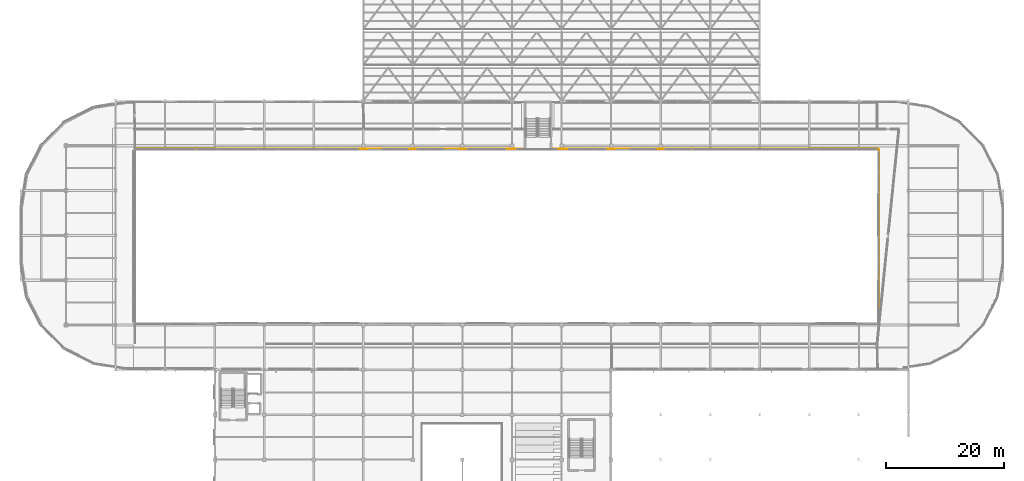
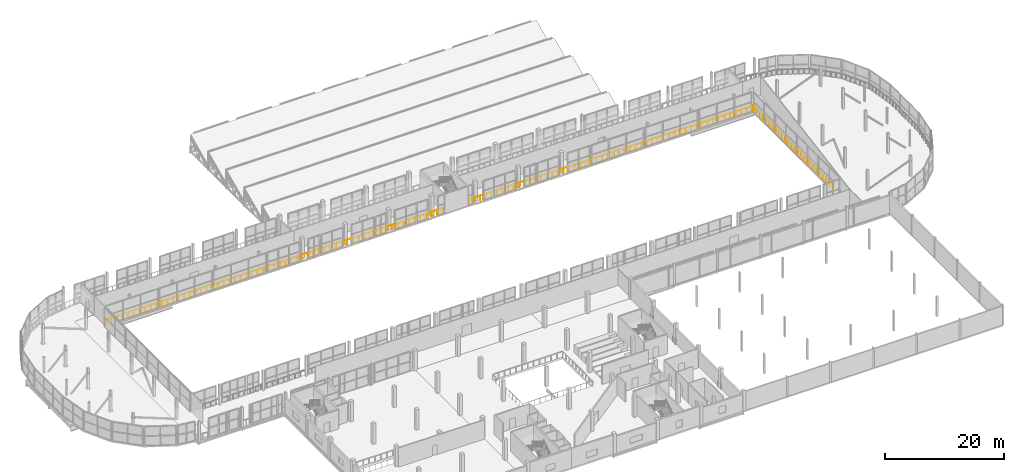
# One storey, part 213 of 217: 2 railings.
"""IFC4 building model written with IfcOpenShell, lengths in metres."""

from ifc_helpers import new_model, si_unit, direction, frame, origin, origin_2d, place, context, subcontext, project, spatial, circle, extrude, material, type_object, element, save


model = new_model("IFC4")

# Units and contexts
model_context = context("Model", 3, precision=1e-05, world=origin(), true_north=direction((0.0, 1.0)))
body_context = subcontext(model_context, "Body", "Model", "MODEL_VIEW")
ifc_project = project(units=[si_unit("LENGTHUNIT", "METRE"), si_unit("AREAUNIT", "SQUARE_METRE"), si_unit("VOLUMEUNIT", "CUBIC_METRE"), si_unit("PLANEANGLEUNIT", "RADIAN"), si_unit("MASSUNIT", "GRAM", prefix="KILO")], contexts=[model_context])

# Site, building, storey
site_placement = place(None, origin())
site = spatial("IfcSite", under=ifc_project, at=site_placement, CompositionType="ELEMENT")
building_placement = place(site_placement, origin())
building = spatial("IfcBuilding", under=site, at=building_placement, Name="Zuvorla Pavilion Media Centre", CompositionType="ELEMENT")
storey_placement = place(building_placement, frame((0.0, 0.0, 9.60009765625)))
storey = spatial("IfcBuildingStorey", under=building, at=storey_placement, Name="L02", CompositionType="ELEMENT", Elevation=9.60009765625)

# Railings
ifc_material = material(Name="Powder-coated steel balustrade guard", Category="steel")
railing_type = type_object("IfcRailingType", Name="RL-INT-GRD", PredefinedType="BALUSTRADE", material=ifc_material)
railing_1_placement = place(storey_placement, frame((154.219970703125, 54.63525390625, 0.0)))
element("IfcRailing", 1, at=railing_1_placement, inside=storey, type_object=railing_type, Name="L02 slab edge guard 84", PredefinedType="BALUSTRADE", context=body_context, shape_type="SweptSolid", body=[
    extrude(circle(Radius=0.02392578125, at=origin_2d()), frame((0.0, 0.02880859375, 1.09619140625), z_axis=(0.0, 1.0, 0.0), x_axis=(-1.0, 0.0, 0.0)), (0.0, 0.0, 1.0), 26.507080078125),
    extrude(circle(Radius=0.02392578125, at=origin_2d()), frame((-0.000244140625, 26.56787109375, 1.09619140625), z_axis=(-0.044898496809, 0.99899155401, 0.0), x_axis=(-0.99899155401, -0.044898496809, 0.0)), (0.0, 0.0, 1.0), 0.02001953125),
    extrude(circle(Radius=0.02392578125, at=origin_2d()), frame((-0.00146484375, 26.589599609375, 1.09619140625), z_axis=(-0.147784535061, 0.989019580795, 0.0), x_axis=(-0.989019580795, -0.147784535061, 0.0)), (0.0, 0.0, 1.0), 0.02001953125),
    extrude(circle(Radius=0.02392578125, at=origin_2d()), frame((-0.0048828125, 26.61083984375, 1.09619140625), z_axis=(-0.247833249983, 0.968802704478, 0.0), x_axis=(-0.968802704478, -0.247833249983, 0.0)), (0.0, 0.0, 1.0), 0.02001953125),
    extrude(circle(Radius=0.02392578125, at=origin_2d()), frame((-0.010498046875, 26.631591796875, 1.09619140625), z_axis=(-0.329843743632, 0.94403554212, 0.0), x_axis=(-0.94403554212, -0.329843743632, 0.0)), (0.0, 0.0, 1.0), 0.02001953125),
    extrude(circle(Radius=0.02392578125, at=origin_2d()), frame((-0.01806640625, 26.65185546875, 1.09619140625), z_axis=(-0.429056814568, 0.903277504354, 0.0), x_axis=(-0.903277504354, -0.429056814568, 0.0)), (0.0, 0.0, 1.0), 0.02001953125),
    extrude(circle(Radius=0.02392578125, at=origin_2d()), frame((-0.027587890625, 26.671142578125, 1.09619140625), z_axis=(-0.517802679406, 0.855500079018, 0.0), x_axis=(-0.855500079018, -0.517802679406, 0.0)), (0.0, 0.0, 1.0), 0.02001953125),
    extrude(circle(Radius=0.02392578125, at=origin_2d()), frame((-0.0390625, 26.689697265625, 1.09619140625), z_axis=(-0.590870941899, 0.806766093747, 0.0), x_axis=(-0.806766093747, -0.590870941899, 0.0)), (0.0, 0.0, 1.0), 0.02001953125),
    extrude(circle(Radius=0.02392578125, at=origin_2d()), frame((-0.052001953125, 26.706787109375, 1.09619140625), z_axis=(-0.672672793996, 0.739940073396, 0.0), x_axis=(-0.739940073396, -0.672672793996, 0.0)), (0.0, 0.0, 1.0), 0.02001953125),
    extrude(circle(Radius=0.02392578125, at=origin_2d()), frame((-0.06689453125, 26.72265625, 1.09619140625), z_axis=(-0.740455314082, 0.672105592782, 0.0), x_axis=(-0.672105592782, -0.740455314082, 0.0)), (0.0, 0.0, 1.0), 0.02001953125),
    extrude(circle(Radius=0.02392578125, at=origin_2d()), frame((-0.0830078125, 26.73681640625, 1.09619140625), z_axis=(-0.806766093747, 0.590870941899, 0.0), x_axis=(-0.590870941899, -0.806766093747, 0.0)), (0.0, 0.0, 1.0), 0.02001953125),
    extrude(circle(Radius=0.02392578125, at=origin_2d()), frame((-0.100341796875, 26.749267578125, 1.09619140625), z_axis=(-0.855500079018, 0.517802679406, 0.0), x_axis=(-0.517802679406, -0.855500079018, 0.0)), (0.0, 0.0, 1.0), 0.02001953125),
    extrude(circle(Radius=0.02392578125, at=origin_2d()), frame((-0.119140625, 26.76025390625, 1.09619140625), z_axis=(-0.903277504354, 0.429056814568, 0.0), x_axis=(-0.429056814568, -0.903277504354, 0.0)), (0.0, 0.0, 1.0), 0.02001953125),
    extrude(circle(Radius=0.02392578125, at=origin_2d()), frame((-0.138671875, 26.76904296875, 1.09619140625), z_axis=(-0.94403554212, 0.329843743632, 0.0), x_axis=(-0.329843743632, -0.94403554212, 0.0)), (0.0, 0.0, 1.0), 0.02001953125),
    extrude(circle(Radius=0.02392578125, at=origin_2d()), frame((-0.1591796875, 26.77587890625, 1.09619140625), z_axis=(-0.968802704478, 0.247833249983, 0.0), x_axis=(-0.247833249983, -0.968802704478, 0.0)), (0.0, 0.0, 1.0), 0.02001953125),
    extrude(circle(Radius=0.02392578125, at=origin_2d()), frame((-0.18017578125, 26.781005859375, 1.09619140625), z_axis=(-0.989263736218, 0.146141233759, 0.0), x_axis=(-0.146141233759, -0.989263736218, 0.0)), (0.0, 0.0, 1.0), 0.02001953125),
    extrude(circle(Radius=0.02392578125, at=origin_2d()), frame((-0.20166015625, 26.783935546875, 1.09619140625), z_axis=(-0.99896854021, 0.045407660919, 0.0), x_axis=(-0.045407660919, -0.99896854021, 0.0)), (0.0, 0.0, 1.0), 0.02001953125),
    extrude(circle(Radius=0.02392578125, at=origin_2d()), frame((-0.248779296875, 26.78466796875, 1.09619140625), z_axis=(-1.0, 0.0, 0.0), x_axis=(0.0, -1.0, 0.0)), (0.0, 0.0, 1.0), 54.982421875),
    extrude(circle(Radius=0.02099609375, at=origin_2d()), origin(), (0.0, 0.0, 1.0), 1.070068359375),
    extrude(circle(Radius=0.02099609375, at=origin_2d()), frame((0.0, 1.0625, 0.0)), (0.0, 0.0, 1.0), 1.070068359375),
    extrude(circle(Radius=0.02099609375, at=origin_2d()), frame((0.0, 2.125244140625, 0.0)), (0.0, 0.0, 1.0), 1.070068359375),
    extrude(circle(Radius=0.02099609375, at=origin_2d()), frame((0.0, 3.187744140625, 0.0)), (0.0, 0.0, 1.0), 1.070068359375),
    extrude(circle(Radius=0.02099609375, at=origin_2d()), frame((0.0, 4.250244140625, 0.0)), (0.0, 0.0, 1.0), 1.070068359375),
    extrude(circle(Radius=0.02099609375, at=origin_2d()), frame((0.0, 5.31298828125, 0.0)), (0.0, 0.0, 1.0), 1.070068359375),
    extrude(circle(Radius=0.02099609375, at=origin_2d()), frame((0.0, 6.37548828125, 0.0)), (0.0, 0.0, 1.0), 1.070068359375),
    extrude(circle(Radius=0.02099609375, at=origin_2d()), frame((0.0, 7.438232421875, 0.0)), (0.0, 0.0, 1.0), 1.070068359375),
    extrude(circle(Radius=0.02099609375, at=origin_2d()), frame((0.0, 8.500732421875, 0.0)), (0.0, 0.0, 1.0), 1.070068359375),
    extrude(circle(Radius=0.02099609375, at=origin_2d()), frame((0.0, 9.563232421875, 0.0)), (0.0, 0.0, 1.0), 1.070068359375),
    extrude(circle(Radius=0.02099609375, at=origin_2d()), frame((0.0, 10.6259765625, 0.0)), (0.0, 0.0, 1.0), 1.070068359375),
    extrude(circle(Radius=0.02099609375, at=origin_2d()), frame((0.0, 11.6884765625, 0.0)), (0.0, 0.0, 1.0), 1.070068359375),
    extrude(circle(Radius=0.02099609375, at=origin_2d()), frame((0.0, 12.7509765625, 0.0)), (0.0, 0.0, 1.0), 1.070068359375),
    extrude(circle(Radius=0.02099609375, at=origin_2d()), frame((0.0, 13.813720703125, 0.0)), (0.0, 0.0, 1.0), 1.070068359375),
    extrude(circle(Radius=0.02099609375, at=origin_2d()), frame((0.0, 14.876220703125, 0.0)), (0.0, 0.0, 1.0), 1.070068359375),
    extrude(circle(Radius=0.02099609375, at=origin_2d()), frame((0.0, 15.938720703125, 0.0)), (0.0, 0.0, 1.0), 1.070068359375),
    extrude(circle(Radius=0.02099609375, at=origin_2d()), frame((0.0, 17.00146484375, 0.0)), (0.0, 0.0, 1.0), 1.070068359375),
    extrude(circle(Radius=0.02099609375, at=origin_2d()), frame((0.0, 18.06396484375, 0.0)), (0.0, 0.0, 1.0), 1.070068359375),
    extrude(circle(Radius=0.02099609375, at=origin_2d()), frame((0.0, 19.12646484375, 0.0)), (0.0, 0.0, 1.0), 1.070068359375),
    extrude(circle(Radius=0.02099609375, at=origin_2d()), frame((0.0, 20.189208984375, 0.0)), (0.0, 0.0, 1.0), 1.070068359375),
    extrude(circle(Radius=0.02099609375, at=origin_2d()), frame((0.0, 21.251708984375, 0.0)), (0.0, 0.0, 1.0), 1.070068359375),
    extrude(circle(Radius=0.02099609375, at=origin_2d()), frame((0.0, 22.314453125, 0.0)), (0.0, 0.0, 1.0), 1.070068359375),
    extrude(circle(Radius=0.02099609375, at=origin_2d()), frame((0.0, 23.376953125, 0.0)), (0.0, 0.0, 1.0), 1.070068359375),
    extrude(circle(Radius=0.02099609375, at=origin_2d()), frame((0.0, 24.439453125, 0.0)), (0.0, 0.0, 1.0), 1.070068359375),
    extrude(circle(Radius=0.02099609375, at=origin_2d()), frame((0.0, 25.502197265625, 0.0)), (0.0, 0.0, 1.0), 1.070068359375),
    extrude(circle(Radius=0.02099609375, at=origin_2d()), frame((0.0, 26.564697265625, 0.0)), (0.0, 0.0, 1.0), 1.070068359375),
    extrude(circle(Radius=0.02099609375, at=origin_2d()), frame((-0.0009765625, 26.58642578125, 0.0)), (0.0, 0.0, 1.0), 1.070068359375),
    extrude(circle(Radius=0.02099609375, at=origin_2d()), frame((-0.004150390625, 26.607666015625, 0.0)), (0.0, 0.0, 1.0), 1.070068359375),
    extrude(circle(Radius=0.02099609375, at=origin_2d()), frame((-0.009521484375, 26.628662109375, 0.0)), (0.0, 0.0, 1.0), 1.070068359375),
    extrude(circle(Radius=0.02099609375, at=origin_2d()), frame((-0.0166015625, 26.64892578125, 0.0)), (0.0, 0.0, 1.0), 1.070068359375),
    extrude(circle(Radius=0.02099609375, at=origin_2d()), frame((-0.02587890625, 26.66845703125, 0.0)), (0.0, 0.0, 1.0), 1.070068359375),
    extrude(circle(Radius=0.02099609375, at=origin_2d()), frame((-0.037109375, 26.68701171875, 0.0)), (0.0, 0.0, 1.0), 1.070068359375),
    extrude(circle(Radius=0.02099609375, at=origin_2d()), frame((-0.0498046875, 26.704345703125, 0.0)), (0.0, 0.0, 1.0), 1.070068359375),
    extrude(circle(Radius=0.02099609375, at=origin_2d()), frame((-0.064453125, 26.720458984375, 0.0)), (0.0, 0.0, 1.0), 1.070068359375),
    extrude(circle(Radius=0.02099609375, at=origin_2d()), frame((-0.080322265625, 26.73486328125, 0.0)), (0.0, 0.0, 1.0), 1.070068359375),
    extrude(circle(Radius=0.02099609375, at=origin_2d()), frame((-0.09765625, 26.74755859375, 0.0)), (0.0, 0.0, 1.0), 1.070068359375),
    extrude(circle(Radius=0.02099609375, at=origin_2d()), frame((-0.1162109375, 26.7587890625, 0.0)), (0.0, 0.0, 1.0), 1.070068359375),
    extrude(circle(Radius=0.02099609375, at=origin_2d()), frame((-0.1357421875, 26.76806640625, 0.0)), (0.0, 0.0, 1.0), 1.070068359375),
    extrude(circle(Radius=0.02099609375, at=origin_2d()), frame((-0.156005859375, 26.775146484375, 0.0)), (0.0, 0.0, 1.0), 1.070068359375),
    extrude(circle(Radius=0.02099609375, at=origin_2d()), frame((-0.177001953125, 26.780517578125, 0.0)), (0.0, 0.0, 1.0), 1.070068359375),
    extrude(circle(Radius=0.02099609375, at=origin_2d()), frame((-0.198486328125, 26.78369140625, 0.0)), (0.0, 0.0, 1.0), 1.070068359375),
    extrude(circle(Radius=0.02099609375, at=origin_2d()), frame((-0.219970703125, 26.78466796875, 0.0)), (0.0, 0.0, 1.0), 1.070068359375),
    extrude(circle(Radius=0.02099609375, at=origin_2d()), frame((-1.299072265625, 26.78466796875, 0.0)), (0.0, 0.0, 1.0), 1.070068359375),
    extrude(circle(Radius=0.02099609375, at=origin_2d()), frame((-2.37841796875, 26.78466796875, 0.0)), (0.0, 0.0, 1.0), 1.070068359375),
    extrude(circle(Radius=0.02099609375, at=origin_2d()), frame((-3.45751953125, 26.78466796875, 0.0)), (0.0, 0.0, 1.0), 1.070068359375),
    extrude(circle(Radius=0.02099609375, at=origin_2d()), frame((-4.536865234375, 26.78466796875, 0.0)), (0.0, 0.0, 1.0), 1.070068359375),
    extrude(circle(Radius=0.02099609375, at=origin_2d()), frame((-5.615966796875, 26.78466796875, 0.0)), (0.0, 0.0, 1.0), 1.070068359375),
    extrude(circle(Radius=0.02099609375, at=origin_2d()), frame((-6.6953125, 26.78466796875, 0.0)), (0.0, 0.0, 1.0), 1.070068359375),
    extrude(circle(Radius=0.02099609375, at=origin_2d()), frame((-7.7744140625, 26.78466796875, 0.0)), (0.0, 0.0, 1.0), 1.070068359375),
    extrude(circle(Radius=0.02099609375, at=origin_2d()), frame((-8.853759765625, 26.78466796875, 0.0)), (0.0, 0.0, 1.0), 1.070068359375),
    extrude(circle(Radius=0.02099609375, at=origin_2d()), frame((-9.932861328125, 26.78466796875, 0.0)), (0.0, 0.0, 1.0), 1.070068359375),
    extrude(circle(Radius=0.02099609375, at=origin_2d()), frame((-11.01220703125, 26.78466796875, 0.0)), (0.0, 0.0, 1.0), 1.070068359375),
    extrude(circle(Radius=0.02099609375, at=origin_2d()), frame((-12.09130859375, 26.78466796875, 0.0)), (0.0, 0.0, 1.0), 1.070068359375),
    extrude(circle(Radius=0.02099609375, at=origin_2d()), frame((-13.170654296875, 26.78466796875, 0.0)), (0.0, 0.0, 1.0), 1.070068359375),
    extrude(circle(Radius=0.02099609375, at=origin_2d()), frame((-14.249755859375, 26.78466796875, 0.0)), (0.0, 0.0, 1.0), 1.070068359375),
    extrude(circle(Radius=0.02099609375, at=origin_2d()), frame((-15.3291015625, 26.78466796875, 0.0)), (0.0, 0.0, 1.0), 1.070068359375),
    extrude(circle(Radius=0.02099609375, at=origin_2d()), frame((-16.408203125, 26.78466796875, 0.0)), (0.0, 0.0, 1.0), 1.070068359375),
    extrude(circle(Radius=0.02099609375, at=origin_2d()), frame((-17.487548828125, 26.78466796875, 0.0)), (0.0, 0.0, 1.0), 1.070068359375),
    extrude(circle(Radius=0.02099609375, at=origin_2d()), frame((-18.566650390625, 26.78466796875, 0.0)), (0.0, 0.0, 1.0), 1.070068359375),
    extrude(circle(Radius=0.02099609375, at=origin_2d()), frame((-19.645751953125, 26.78466796875, 0.0)), (0.0, 0.0, 1.0), 1.070068359375),
    extrude(circle(Radius=0.02099609375, at=origin_2d()), frame((-20.72509765625, 26.78466796875, 0.0)), (0.0, 0.0, 1.0), 1.070068359375),
    extrude(circle(Radius=0.02099609375, at=origin_2d()), frame((-21.80419921875, 26.78466796875, 0.0)), (0.0, 0.0, 1.0), 1.070068359375),
    extrude(circle(Radius=0.02099609375, at=origin_2d()), frame((-22.883544921875, 26.78466796875, 0.0)), (0.0, 0.0, 1.0), 1.070068359375),
    extrude(circle(Radius=0.02099609375, at=origin_2d()), frame((-23.962646484375, 26.78466796875, 0.0)), (0.0, 0.0, 1.0), 1.070068359375),
    extrude(circle(Radius=0.02099609375, at=origin_2d()), frame((-25.0419921875, 26.78466796875, 0.0)), (0.0, 0.0, 1.0), 1.070068359375),
    extrude(circle(Radius=0.02099609375, at=origin_2d()), frame((-26.12109375, 26.78466796875, 0.0)), (0.0, 0.0, 1.0), 1.070068359375),
    extrude(circle(Radius=0.02099609375, at=origin_2d()), frame((-27.200439453125, 26.78466796875, 0.0)), (0.0, 0.0, 1.0), 1.070068359375),
    extrude(circle(Radius=0.02099609375, at=origin_2d()), frame((-28.279541015625, 26.78466796875, 0.0)), (0.0, 0.0, 1.0), 1.070068359375),
    extrude(circle(Radius=0.02099609375, at=origin_2d()), frame((-29.35888671875, 26.78466796875, 0.0)), (0.0, 0.0, 1.0), 1.070068359375),
    extrude(circle(Radius=0.02099609375, at=origin_2d()), frame((-30.43798828125, 26.78466796875, 0.0)), (0.0, 0.0, 1.0), 1.070068359375),
    extrude(circle(Radius=0.02099609375, at=origin_2d()), frame((-31.517333984375, 26.78466796875, 0.0)), (0.0, 0.0, 1.0), 1.070068359375),
    extrude(circle(Radius=0.02099609375, at=origin_2d()), frame((-32.596435546875, 26.78466796875, 0.0)), (0.0, 0.0, 1.0), 1.070068359375),
    extrude(circle(Radius=0.02099609375, at=origin_2d()), frame((-33.67578125, 26.78466796875, 0.0)), (0.0, 0.0, 1.0), 1.070068359375),
    extrude(circle(Radius=0.02099609375, at=origin_2d()), frame((-34.7548828125, 26.78466796875, 0.0)), (0.0, 0.0, 1.0), 1.070068359375),
    extrude(circle(Radius=0.02099609375, at=origin_2d()), frame((-35.834228515625, 26.78466796875, 0.0)), (0.0, 0.0, 1.0), 1.070068359375),
    extrude(circle(Radius=0.02099609375, at=origin_2d()), frame((-36.913330078125, 26.78466796875, 0.0)), (0.0, 0.0, 1.0), 1.070068359375),
    extrude(circle(Radius=0.02099609375, at=origin_2d()), frame((-37.992431640625, 26.78466796875, 0.0)), (0.0, 0.0, 1.0), 1.070068359375),
    extrude(circle(Radius=0.02099609375, at=origin_2d()), frame((-39.07177734375, 26.78466796875, 0.0)), (0.0, 0.0, 1.0), 1.070068359375),
    extrude(circle(Radius=0.02099609375, at=origin_2d()), frame((-40.15087890625, 26.78466796875, 0.0)), (0.0, 0.0, 1.0), 1.070068359375),
    extrude(circle(Radius=0.02099609375, at=origin_2d()), frame((-41.230224609375, 26.78466796875, 0.0)), (0.0, 0.0, 1.0), 1.070068359375),
    extrude(circle(Radius=0.02099609375, at=origin_2d()), frame((-42.309326171875, 26.78466796875, 0.0)), (0.0, 0.0, 1.0), 1.070068359375),
    extrude(circle(Radius=0.02099609375, at=origin_2d()), frame((-43.388671875, 26.78466796875, 0.0)), (0.0, 0.0, 1.0), 1.070068359375),
    extrude(circle(Radius=0.02099609375, at=origin_2d()), frame((-44.4677734375, 26.78466796875, 0.0)), (0.0, 0.0, 1.0), 1.070068359375),
    extrude(circle(Radius=0.02099609375, at=origin_2d()), frame((-45.547119140625, 26.78466796875, 0.0)), (0.0, 0.0, 1.0), 1.070068359375),
    extrude(circle(Radius=0.02099609375, at=origin_2d()), frame((-46.626220703125, 26.78466796875, 0.0)), (0.0, 0.0, 1.0), 1.070068359375),
    extrude(circle(Radius=0.02099609375, at=origin_2d()), frame((-47.70556640625, 26.78466796875, 0.0)), (0.0, 0.0, 1.0), 1.070068359375),
    extrude(circle(Radius=0.02099609375, at=origin_2d()), frame((-48.78466796875, 26.78466796875, 0.0)), (0.0, 0.0, 1.0), 1.070068359375),
    extrude(circle(Radius=0.02099609375, at=origin_2d()), frame((-49.864013671875, 26.78466796875, 0.0)), (0.0, 0.0, 1.0), 1.070068359375),
    extrude(circle(Radius=0.02099609375, at=origin_2d()), frame((-50.943115234375, 26.78466796875, 0.0)), (0.0, 0.0, 1.0), 1.070068359375),
    extrude(circle(Radius=0.02099609375, at=origin_2d()), frame((-52.0224609375, 26.78466796875, 0.0)), (0.0, 0.0, 1.0), 1.070068359375),
    extrude(circle(Radius=0.02099609375, at=origin_2d()), frame((-53.1015625, 26.78466796875, 0.0)), (0.0, 0.0, 1.0), 1.070068359375),
    extrude(circle(Radius=0.02099609375, at=origin_2d()), frame((-54.180908203125, 26.78466796875, 0.0)), (0.0, 0.0, 1.0), 1.070068359375),
    extrude(circle(Radius=0.02099609375, at=origin_2d()), frame((-55.260009765625, 26.78466796875, 0.0)), (0.0, 0.0, 1.0), 1.070068359375),
])
railing_2_placement = place(storey_placement, frame((93.840087890625, 81.419921875, 0.0)))
element("IfcRailing", 2, at=railing_2_placement, inside=storey, type_object=railing_type, Name="L02 slab edge guard 85", PredefinedType="BALUSTRADE", context=body_context, shape_type="SweptSolid", body=[
    extrude(circle(Radius=0.02392578125, at=origin_2d()), frame((-0.02880859375, 0.0, 1.09619140625), z_axis=(-1.0, 0.0, 0.0), x_axis=(0.0, -1.0, 0.0)), (0.0, 0.0, 1.0), 65.511962890625),
    extrude(circle(Radius=0.02099609375, at=origin_2d()), origin(), (0.0, 0.0, 1.0), 1.070068359375),
    extrude(circle(Radius=0.02099609375, at=origin_2d()), frame((-1.0927734375, 0.0, 0.0)), (0.0, 0.0, 1.0), 1.070068359375),
    extrude(circle(Radius=0.02099609375, at=origin_2d()), frame((-2.185546875, 0.0, 0.0)), (0.0, 0.0, 1.0), 1.070068359375),
    extrude(circle(Radius=0.02099609375, at=origin_2d()), frame((-3.278564453125, 0.0, 0.0)), (0.0, 0.0, 1.0), 1.070068359375),
    extrude(circle(Radius=0.02099609375, at=origin_2d()), frame((-4.371337890625, 0.0, 0.0)), (0.0, 0.0, 1.0), 1.070068359375),
    extrude(circle(Radius=0.02099609375, at=origin_2d()), frame((-5.464111328125, 0.0, 0.0)), (0.0, 0.0, 1.0), 1.070068359375),
    extrude(circle(Radius=0.02099609375, at=origin_2d()), frame((-6.556884765625, 0.0, 0.0)), (0.0, 0.0, 1.0), 1.070068359375),
    extrude(circle(Radius=0.02099609375, at=origin_2d()), frame((-7.64990234375, 0.0, 0.0)), (0.0, 0.0, 1.0), 1.070068359375),
    extrude(circle(Radius=0.02099609375, at=origin_2d()), frame((-8.74267578125, 0.0, 0.0)), (0.0, 0.0, 1.0), 1.070068359375),
    extrude(circle(Radius=0.02099609375, at=origin_2d()), frame((-9.83544921875, 0.0, 0.0)), (0.0, 0.0, 1.0), 1.070068359375),
    extrude(circle(Radius=0.02099609375, at=origin_2d()), frame((-10.92822265625, 0.0, 0.0)), (0.0, 0.0, 1.0), 1.070068359375),
    extrude(circle(Radius=0.02099609375, at=origin_2d()), frame((-12.02099609375, 0.0, 0.0)), (0.0, 0.0, 1.0), 1.070068359375),
    extrude(circle(Radius=0.02099609375, at=origin_2d()), frame((-13.114013671875, 0.0, 0.0)), (0.0, 0.0, 1.0), 1.070068359375),
    extrude(circle(Radius=0.02099609375, at=origin_2d()), frame((-14.206787109375, 0.0, 0.0)), (0.0, 0.0, 1.0), 1.070068359375),
    extrude(circle(Radius=0.02099609375, at=origin_2d()), frame((-15.299560546875, 0.0, 0.0)), (0.0, 0.0, 1.0), 1.070068359375),
    extrude(circle(Radius=0.02099609375, at=origin_2d()), frame((-16.392333984375, 0.0, 0.0)), (0.0, 0.0, 1.0), 1.070068359375),
    extrude(circle(Radius=0.02099609375, at=origin_2d()), frame((-17.485107421875, 0.0, 0.0)), (0.0, 0.0, 1.0), 1.070068359375),
    extrude(circle(Radius=0.02099609375, at=origin_2d()), frame((-18.578125, 0.0, 0.0)), (0.0, 0.0, 1.0), 1.070068359375),
    extrude(circle(Radius=0.02099609375, at=origin_2d()), frame((-19.6708984375, 0.0, 0.0)), (0.0, 0.0, 1.0), 1.070068359375),
    extrude(circle(Radius=0.02099609375, at=origin_2d()), frame((-20.763671875, 0.0, 0.0)), (0.0, 0.0, 1.0), 1.070068359375),
    extrude(circle(Radius=0.02099609375, at=origin_2d()), frame((-21.8564453125, 0.0, 0.0)), (0.0, 0.0, 1.0), 1.070068359375),
    extrude(circle(Radius=0.02099609375, at=origin_2d()), frame((-22.949462890625, 0.0, 0.0)), (0.0, 0.0, 1.0), 1.070068359375),
    extrude(circle(Radius=0.02099609375, at=origin_2d()), frame((-24.042236328125, 0.0, 0.0)), (0.0, 0.0, 1.0), 1.070068359375),
    extrude(circle(Radius=0.02099609375, at=origin_2d()), frame((-25.135009765625, 0.0, 0.0)), (0.0, 0.0, 1.0), 1.070068359375),
    extrude(circle(Radius=0.02099609375, at=origin_2d()), frame((-26.227783203125, 0.0, 0.0)), (0.0, 0.0, 1.0), 1.070068359375),
    extrude(circle(Radius=0.02099609375, at=origin_2d()), frame((-27.320556640625, 0.0, 0.0)), (0.0, 0.0, 1.0), 1.070068359375),
    extrude(circle(Radius=0.02099609375, at=origin_2d()), frame((-28.41357421875, 0.0, 0.0)), (0.0, 0.0, 1.0), 1.070068359375),
    extrude(circle(Radius=0.02099609375, at=origin_2d()), frame((-29.50634765625, 0.0, 0.0)), (0.0, 0.0, 1.0), 1.070068359375),
    extrude(circle(Radius=0.02099609375, at=origin_2d()), frame((-30.59912109375, 0.0, 0.0)), (0.0, 0.0, 1.0), 1.070068359375),
    extrude(circle(Radius=0.02099609375, at=origin_2d()), frame((-31.69189453125, 0.0, 0.0)), (0.0, 0.0, 1.0), 1.070068359375),
    extrude(circle(Radius=0.02099609375, at=origin_2d()), frame((-32.78466796875, 0.0, 0.0)), (0.0, 0.0, 1.0), 1.070068359375),
    extrude(circle(Radius=0.02099609375, at=origin_2d()), frame((-33.877685546875, 0.0, 0.0)), (0.0, 0.0, 1.0), 1.070068359375),
    extrude(circle(Radius=0.02099609375, at=origin_2d()), frame((-34.970458984375, 0.0, 0.0)), (0.0, 0.0, 1.0), 1.070068359375),
    extrude(circle(Radius=0.02099609375, at=origin_2d()), frame((-36.063232421875, 0.0, 0.0)), (0.0, 0.0, 1.0), 1.070068359375),
    extrude(circle(Radius=0.02099609375, at=origin_2d()), frame((-37.156005859375, 0.0, 0.0)), (0.0, 0.0, 1.0), 1.070068359375),
    extrude(circle(Radius=0.02099609375, at=origin_2d()), frame((-38.2490234375, 0.0, 0.0)), (0.0, 0.0, 1.0), 1.070068359375),
    extrude(circle(Radius=0.02099609375, at=origin_2d()), frame((-39.341796875, 0.0, 0.0)), (0.0, 0.0, 1.0), 1.070068359375),
    extrude(circle(Radius=0.02099609375, at=origin_2d()), frame((-40.4345703125, 0.0, 0.0)), (0.0, 0.0, 1.0), 1.070068359375),
    extrude(circle(Radius=0.02099609375, at=origin_2d()), frame((-41.52734375, 0.0, 0.0)), (0.0, 0.0, 1.0), 1.070068359375),
    extrude(circle(Radius=0.02099609375, at=origin_2d()), frame((-42.6201171875, 0.0, 0.0)), (0.0, 0.0, 1.0), 1.070068359375),
    extrude(circle(Radius=0.02099609375, at=origin_2d()), frame((-43.713134765625, 0.0, 0.0)), (0.0, 0.0, 1.0), 1.070068359375),
    extrude(circle(Radius=0.02099609375, at=origin_2d()), frame((-44.805908203125, 0.0, 0.0)), (0.0, 0.0, 1.0), 1.070068359375),
    extrude(circle(Radius=0.02099609375, at=origin_2d()), frame((-45.898681640625, 0.0, 0.0)), (0.0, 0.0, 1.0), 1.070068359375),
    extrude(circle(Radius=0.02099609375, at=origin_2d()), frame((-46.991455078125, 0.0, 0.0)), (0.0, 0.0, 1.0), 1.070068359375),
    extrude(circle(Radius=0.02099609375, at=origin_2d()), frame((-48.08447265625, 0.0, 0.0)), (0.0, 0.0, 1.0), 1.070068359375),
    extrude(circle(Radius=0.02099609375, at=origin_2d()), frame((-49.17724609375, 0.0, 0.0)), (0.0, 0.0, 1.0), 1.070068359375),
    extrude(circle(Radius=0.02099609375, at=origin_2d()), frame((-50.27001953125, 0.0, 0.0)), (0.0, 0.0, 1.0), 1.070068359375),
    extrude(circle(Radius=0.02099609375, at=origin_2d()), frame((-51.36279296875, 0.0, 0.0)), (0.0, 0.0, 1.0), 1.070068359375),
    extrude(circle(Radius=0.02099609375, at=origin_2d()), frame((-52.45556640625, 0.0, 0.0)), (0.0, 0.0, 1.0), 1.070068359375),
    extrude(circle(Radius=0.02099609375, at=origin_2d()), frame((-53.548583984375, 0.0, 0.0)), (0.0, 0.0, 1.0), 1.070068359375),
    extrude(circle(Radius=0.02099609375, at=origin_2d()), frame((-54.641357421875, 0.0, 0.0)), (0.0, 0.0, 1.0), 1.070068359375),
    extrude(circle(Radius=0.02099609375, at=origin_2d()), frame((-55.734130859375, 0.0, 0.0)), (0.0, 0.0, 1.0), 1.070068359375),
    extrude(circle(Radius=0.02099609375, at=origin_2d()), frame((-56.826904296875, 0.0, 0.0)), (0.0, 0.0, 1.0), 1.070068359375),
    extrude(circle(Radius=0.02099609375, at=origin_2d()), frame((-57.919677734375, 0.0, 0.0)), (0.0, 0.0, 1.0), 1.070068359375),
    extrude(circle(Radius=0.02099609375, at=origin_2d()), frame((-59.0126953125, 0.0, 0.0)), (0.0, 0.0, 1.0), 1.070068359375),
    extrude(circle(Radius=0.02099609375, at=origin_2d()), frame((-60.10546875, 0.0, 0.0)), (0.0, 0.0, 1.0), 1.070068359375),
    extrude(circle(Radius=0.02099609375, at=origin_2d()), frame((-61.1982421875, 0.0, 0.0)), (0.0, 0.0, 1.0), 1.070068359375),
    extrude(circle(Radius=0.02099609375, at=origin_2d()), frame((-62.291015625, 0.0, 0.0)), (0.0, 0.0, 1.0), 1.070068359375),
    extrude(circle(Radius=0.02099609375, at=origin_2d()), frame((-63.384033203125, 0.0, 0.0)), (0.0, 0.0, 1.0), 1.070068359375),
    extrude(circle(Radius=0.02099609375, at=origin_2d()), frame((-64.476806640625, 0.0, 0.0)), (0.0, 0.0, 1.0), 1.070068359375),
    extrude(circle(Radius=0.02099609375, at=origin_2d()), frame((-65.569580078125, 0.0, 0.0)), (0.0, 0.0, 1.0), 1.070068359375),
])

save(model, "model.ifc")
